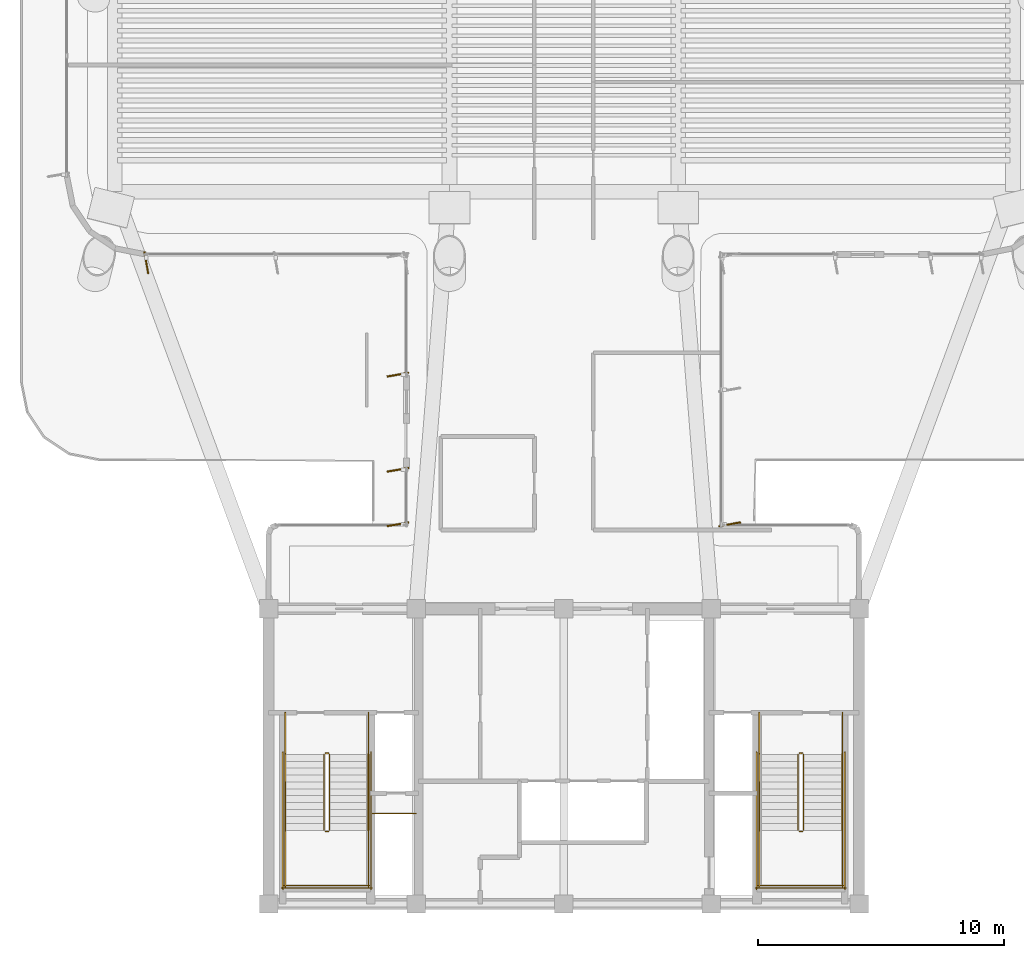
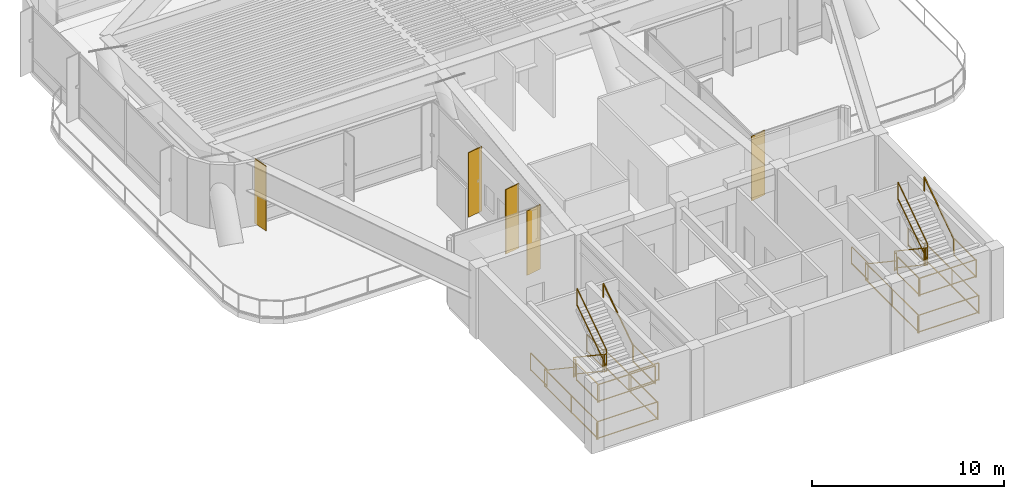
# One storey, part 12 of 13: 29 railings, 5 shading devices.
"""IFC4 building model written with IfcOpenShell, lengths in metres."""

from ifc_helpers import new_model, si_unit, direction, frame, origin, origin_2d, place, context, subcontext, project, spatial, rectangle, extrude, source, transform, mapped, material, layer, layer_set, material_profile, profile_set, type_object, element, save


model = new_model("IFC4")

# Units and contexts
model_context = context("Model", 3, precision=1e-05, world=origin(), true_north=direction((0.0, 1.0)))
body_context = subcontext(model_context, "Body", "Model", "MODEL_VIEW")
ifc_project = project(units=[si_unit("LENGTHUNIT", "METRE"), si_unit("AREAUNIT", "SQUARE_METRE"), si_unit("VOLUMEUNIT", "CUBIC_METRE"), si_unit("PLANEANGLEUNIT", "RADIAN"), si_unit("MASSUNIT", "GRAM", prefix="KILO")], contexts=[model_context])

# Site, building, storey
site_placement = place(None, origin())
site = spatial("IfcSite", under=ifc_project, at=site_placement, CompositionType="ELEMENT")
building_placement = place(site_placement, origin())
building = spatial("IfcBuilding", under=site, at=building_placement, Name="Brelvock Crest Care Tower", CompositionType="ELEMENT")
storey_placement = place(building_placement, frame((0.0, 0.0, 151.919921875)))
storey = spatial("IfcBuildingStorey", under=building, at=storey_placement, Name="L38", CompositionType="ELEMENT", Elevation=151.919921875)

# Railings
ifc_material_1 = material(Name="Steel Grade 350", Category="steel")
ifc_layer_1 = layer(ifc_material_1, 0.050048828125, Name="RL-STG1")
ifc_layer_set_1 = layer_set([ifc_layer_1], Name="Steel Grade 350")
railing_type_1 = type_object("IfcRailingType", Name="RL-STG1", PredefinedType="GUARDRAIL", material=ifc_layer_set_1)
railing_1_placement = place(storey_placement, frame((26.260009765625, 12.080078125, 0.1875)))
element("IfcRailing", 1, at=railing_1_placement, inside=storey, type_object=railing_type_1, Name="L38 ST-1 stair guard 1", PredefinedType="GUARDRAIL", context=body_context, shape_type="SweptSolid", body=[
    extrude(rectangle(XDim=0.048095703125, YDim=0.048095703125, at=origin_2d()), frame((0.0, -0.001708984375, 1.116943359375), z_axis=(0.0, -0.830913701846, 0.55640131208), x_axis=(1.0, 0.0, 0.0)), (0.0, 0.0, 1.0), 3.702880859375),
    extrude(rectangle(XDim=0.048095703125, YDim=0.048095703125, at=origin_2d()), frame((0.0, -0.001708984375, 0.05615234375), z_axis=(0.0, -0.830913701846, 0.55640131208), x_axis=(1.0, 0.0, 0.0)), (0.0, 0.0, 1.0), 3.702880859375),
    extrude(rectangle(XDim=0.0419921875, YDim=0.0419921875, at=origin_2d()), origin(), (0.0, 0.0, 1.0), 1.08984375),
    extrude(rectangle(XDim=0.0419921875, YDim=0.0419921875, at=origin_2d()), frame((0.0, -3.080078125, 2.0625)), (0.0, 0.0, 1.0), 1.08984375),
])
railing_2_placement = place(storey_placement, frame((26.31005859375, 8.949951171875, 2.25)))
element("IfcRailing", 2, at=railing_2_placement, inside=storey, type_object=railing_type_1, Name="L38 ST-1 stair guard 2", PredefinedType="GUARDRAIL", context=body_context, shape_type="SweptSolid", body=[
    extrude(rectangle(XDim=0.048095703125, YDim=0.048095703125, at=origin_2d()), frame((0.001953125, 0.0, 1.11572265625), z_axis=(1.0, 0.0, 0.0), x_axis=(0.0, 1.0, 0.0)), (0.0, 0.0, 1.0), 0.115966796875),
    extrude(rectangle(XDim=0.048095703125, YDim=0.048095703125, at=origin_2d()), frame((0.001953125, 0.0, 0.054931640625), z_axis=(1.0, 0.0, 0.0), x_axis=(0.0, 1.0, 0.0)), (0.0, 0.0, 1.0), 0.115966796875),
    extrude(rectangle(XDim=0.0419921875, YDim=0.0419921875, at=origin_2d()), origin(), (0.0, 0.0, 1.0), 1.08984375),
    extrude(rectangle(XDim=0.0419921875, YDim=0.0419921875, at=origin_2d()), frame((0.119873046875, 0.0, 0.0)), (0.0, 0.0, 1.0), 1.08984375),
])
for number, where, name in (
    (3, (24.679931640625, 9.0, 2.25), "L38 ST-1 stair guard 3"),
    (4, (28.06005859375, 9.0, 2.25), "L38 ST-1 stair guard 4"),
):
    element("IfcRailing", number, at=place(storey_placement, frame(where)), inside=storey, type_object=railing_type_1, Name=name, PredefinedType="GUARDRAIL", context=body_context, shape_type="SweptSolid", body=[
        extrude(rectangle(XDim=0.048095703125, YDim=0.048095703125, at=origin_2d()), frame((0.0, -0.001953125, 1.11572265625), z_axis=(0.0, -1.0, 0.0), x_axis=(1.0, 0.0, 0.0)), (0.0, 0.0, 1.0), 2.296142578125),
        extrude(rectangle(XDim=0.048095703125, YDim=0.048095703125, at=origin_2d()), frame((0.0, -0.001953125, 0.054931640625), z_axis=(0.0, -1.0, 0.0), x_axis=(1.0, 0.0, 0.0)), (0.0, 0.0, 1.0), 2.296142578125),
        extrude(rectangle(XDim=0.0419921875, YDim=0.0419921875, at=origin_2d()), origin(), (0.0, 0.0, 1.0), 1.08984375),
        extrude(rectangle(XDim=0.0419921875, YDim=0.0419921875, at=origin_2d()), frame((0.0, -2.300048828125, 0.0)), (0.0, 0.0, 1.0), 1.08984375),
    ])
railing_3_placement = place(storey_placement, frame((24.6298828125, 6.75, 2.25)))
element("IfcRailing", 5, at=railing_3_placement, inside=storey, type_object=railing_type_1, Name="L38 ST-1 stair guard 5", PredefinedType="GUARDRAIL", context=body_context, shape_type="SweptSolid", body=[
    extrude(rectangle(XDim=0.048095703125, YDim=0.048095703125, at=origin_2d()), frame((0.001953125, 0.0, 1.11572265625), z_axis=(1.0, 0.0, 0.0), x_axis=(0.0, 1.0, 0.0)), (0.0, 0.0, 1.0), 3.476318359375),
    extrude(rectangle(XDim=0.048095703125, YDim=0.048095703125, at=origin_2d()), frame((0.001953125, 0.0, 0.054931640625), z_axis=(1.0, 0.0, 0.0), x_axis=(0.0, 1.0, 0.0)), (0.0, 0.0, 1.0), 3.476318359375),
    extrude(rectangle(XDim=0.0419921875, YDim=0.0419921875, at=origin_2d()), origin(), (0.0, 0.0, 1.0), 1.08984375),
    extrude(rectangle(XDim=0.0419921875, YDim=0.0419921875, at=origin_2d()), frame((3.480224609375, 0.0, 0.0)), (0.0, 0.0, 1.0), 1.08984375),
])
railing_4_placement = place(storey_placement, frame((26.47998046875, 9.0, 2.4375)))
element("IfcRailing", 6, at=railing_4_placement, inside=storey, type_object=railing_type_1, Name="L38 ST-1 stair guard 6", PredefinedType="GUARDRAIL", context=body_context, shape_type="SweptSolid", body=[
    extrude(rectangle(XDim=0.048095703125, YDim=0.048095703125, at=origin_2d()), frame((0.0, 0.001708984375, 1.116943359375), z_axis=(0.0, 0.830913701846, 0.55640131208), x_axis=(-1.0, 0.0, 0.0)), (0.0, 0.0, 1.0), 3.702880859375),
    extrude(rectangle(XDim=0.048095703125, YDim=0.048095703125, at=origin_2d()), frame((0.0, 0.001708984375, 0.05615234375), z_axis=(0.0, 0.830913701846, 0.55640131208), x_axis=(-1.0, 0.0, 0.0)), (0.0, 0.0, 1.0), 3.702880859375),
    extrude(rectangle(XDim=0.0419921875, YDim=0.0419921875, at=origin_2d()), origin(), (0.0, 0.0, 1.0), 1.08984375),
    extrude(rectangle(XDim=0.0419921875, YDim=0.0419921875, at=origin_2d()), frame((0.0, 3.080078125, 2.0625)), (0.0, 0.0, 1.0), 1.08984375),
])
railing_5_placement = place(storey_placement, frame((26.31005859375, 12.1298828125, 0.0)))
element("IfcRailing", 7, at=railing_5_placement, inside=storey, type_object=railing_type_1, Name="L38 ST-1 stair guard 7", PredefinedType="GUARDRAIL", context=body_context, shape_type="SweptSolid", body=[
    extrude(rectangle(XDim=0.048095703125, YDim=0.048095703125, at=origin_2d()), frame((0.001953125, 0.0, 1.11572265625), z_axis=(1.0, 0.0, 0.0), x_axis=(0.0, 1.0, 0.0)), (0.0, 0.0, 1.0), 0.115966796875),
    extrude(rectangle(XDim=0.048095703125, YDim=0.048095703125, at=origin_2d()), frame((0.001953125, 0.0, 0.054931640625), z_axis=(1.0, 0.0, 0.0), x_axis=(0.0, 1.0, 0.0)), (0.0, 0.0, 1.0), 0.115966796875),
    extrude(rectangle(XDim=0.0419921875, YDim=0.0419921875, at=origin_2d()), origin(), (0.0, 0.0, 1.0), 1.08984375),
    extrude(rectangle(XDim=0.0419921875, YDim=0.0419921875, at=origin_2d()), frame((0.119873046875, 0.0, 0.0)), (0.0, 0.0, 1.0), 1.08984375),
])
for number, where, name in (
    (8, (24.679931640625, 13.780029296875, 0.0), "L38 ST-1 stair guard 8"),
    (9, (28.06005859375, 13.780029296875, 0.0), "L38 ST-1 stair guard 9"),
):
    element("IfcRailing", number, at=place(storey_placement, frame(where)), inside=storey, type_object=railing_type_1, Name=name, PredefinedType="GUARDRAIL", context=body_context, shape_type="SweptSolid", body=[
        extrude(rectangle(XDim=0.048095703125, YDim=0.048095703125, at=origin_2d()), frame((0.0, -0.001953125, 1.11572265625), z_axis=(0.0, -1.0, 0.0), x_axis=(1.0, 0.0, 0.0)), (0.0, 0.0, 1.0), 1.696044921875),
        extrude(rectangle(XDim=0.048095703125, YDim=0.048095703125, at=origin_2d()), frame((0.0, -0.001953125, 0.054931640625), z_axis=(0.0, -1.0, 0.0), x_axis=(1.0, 0.0, 0.0)), (0.0, 0.0, 1.0), 1.696044921875),
        extrude(rectangle(XDim=0.0419921875, YDim=0.0419921875, at=origin_2d()), origin(), (0.0, 0.0, 1.0), 1.08984375),
        extrude(rectangle(XDim=0.0419921875, YDim=0.0419921875, at=origin_2d()), frame((0.0, -1.699951171875, 0.0)), (0.0, 0.0, 1.0), 1.08984375),
    ])
for number, where, name in (
    (10, (24.580078125, 12.179931640625, 0.0), "L38 ST-1 stair guard 10"),
    (11, (28.159912109375, 12.179931640625, 0.0), "L38 ST-1 stair guard 11"),
):
    element("IfcRailing", number, at=place(storey_placement, frame(where)), inside=storey, type_object=railing_type_1, Name=name, PredefinedType="GUARDRAIL", context=body_context, shape_type="SweptSolid", body=[
        extrude(rectangle(XDim=0.048095703125, YDim=0.048095703125, at=origin_2d()), frame((0.0, -0.001953125, 1.11572265625), z_axis=(0.0, -1.0, 0.0), x_axis=(1.0, 0.0, 0.0)), (0.0, 0.0, 1.0), 5.575927734375),
        extrude(rectangle(XDim=0.048095703125, YDim=0.048095703125, at=origin_2d()), frame((0.0, -0.001953125, 0.054931640625), z_axis=(0.0, -1.0, 0.0), x_axis=(1.0, 0.0, 0.0)), (0.0, 0.0, 1.0), 5.575927734375),
        extrude(rectangle(XDim=0.0419921875, YDim=0.0419921875, at=origin_2d()), origin(), (0.0, 0.0, 1.0), 1.08984375),
        extrude(rectangle(XDim=0.0419921875, YDim=0.0419921875, at=origin_2d()), frame((0.0, -2.7900390625, 0.0)), (0.0, 0.0, 1.0), 1.08984375),
        extrude(rectangle(XDim=0.0419921875, YDim=0.0419921875, at=origin_2d()), frame((0.0, -5.579833984375, 0.0)), (0.0, 0.0, 1.0), 1.08984375),
    ])
railing_6_placement = place(storey_placement, frame((24.530029296875, 6.64990234375, 0.0)))
element("IfcRailing", 12, at=railing_6_placement, inside=storey, type_object=railing_type_1, Name="L38 ST-1 stair guard 12", PredefinedType="GUARDRAIL", context=body_context, shape_type="SweptSolid", body=[
    extrude(rectangle(XDim=0.048095703125, YDim=0.048095703125, at=origin_2d()), frame((0.001953125, 0.0, 1.11572265625), z_axis=(1.0, 0.0, 0.0), x_axis=(0.0, 1.0, 0.0)), (0.0, 0.0, 1.0), 3.676025390625),
    extrude(rectangle(XDim=0.048095703125, YDim=0.048095703125, at=origin_2d()), frame((0.001953125, 0.0, 0.054931640625), z_axis=(1.0, 0.0, 0.0), x_axis=(0.0, 1.0, 0.0)), (0.0, 0.0, 1.0), 3.676025390625),
    extrude(rectangle(XDim=0.0419921875, YDim=0.0419921875, at=origin_2d()), origin(), (0.0, 0.0, 1.0), 1.08984375),
    extrude(rectangle(XDim=0.0419921875, YDim=0.0419921875, at=origin_2d()), frame((3.679931640625, 0.0, 0.0)), (0.0, 0.0, 1.0), 1.08984375),
])
railing_7_placement = place(storey_placement, frame((45.52001953125, 12.080078125, 0.1875)))
element("IfcRailing", 13, at=railing_7_placement, inside=storey, type_object=railing_type_1, Name="L38 ST-2 stair guard 1", PredefinedType="GUARDRAIL", context=body_context, shape_type="SweptSolid", body=[
    extrude(rectangle(XDim=0.048095703125, YDim=0.048095703125, at=origin_2d()), frame((0.0, -0.001708984375, 1.116943359375), z_axis=(0.0, -0.830913701846, 0.55640131208), x_axis=(1.0, 0.0, 0.0)), (0.0, 0.0, 1.0), 3.702880859375),
    extrude(rectangle(XDim=0.048095703125, YDim=0.048095703125, at=origin_2d()), frame((0.0, -0.001708984375, 0.05615234375), z_axis=(0.0, -0.830913701846, 0.55640131208), x_axis=(1.0, 0.0, 0.0)), (0.0, 0.0, 1.0), 3.702880859375),
    extrude(rectangle(XDim=0.0419921875, YDim=0.0419921875, at=origin_2d()), origin(), (0.0, 0.0, 1.0), 1.08984375),
    extrude(rectangle(XDim=0.0419921875, YDim=0.0419921875, at=origin_2d()), frame((0.0, -3.080078125, 2.0625)), (0.0, 0.0, 1.0), 1.08984375),
])
railing_8_placement = place(storey_placement, frame((45.570068359375, 8.949951171875, 2.25)))
element("IfcRailing", 14, at=railing_8_placement, inside=storey, type_object=railing_type_1, Name="L38 ST-2 stair guard 2", PredefinedType="GUARDRAIL", context=body_context, shape_type="SweptSolid", body=[
    extrude(rectangle(XDim=0.048095703125, YDim=0.048095703125, at=origin_2d()), frame((0.001953125, 0.0, 1.11572265625), z_axis=(1.0, 0.0, 0.0), x_axis=(0.0, 1.0, 0.0)), (0.0, 0.0, 1.0), 0.115966796875),
    extrude(rectangle(XDim=0.048095703125, YDim=0.048095703125, at=origin_2d()), frame((0.001953125, 0.0, 0.054931640625), z_axis=(1.0, 0.0, 0.0), x_axis=(0.0, 1.0, 0.0)), (0.0, 0.0, 1.0), 0.115966796875),
    extrude(rectangle(XDim=0.0419921875, YDim=0.0419921875, at=origin_2d()), origin(), (0.0, 0.0, 1.0), 1.08984375),
    extrude(rectangle(XDim=0.0419921875, YDim=0.0419921875, at=origin_2d()), frame((0.119873046875, 0.0, 0.0)), (0.0, 0.0, 1.0), 1.08984375),
])
for number, where, name in (
    (15, (43.93994140625, 9.0, 2.25), "L38 ST-2 stair guard 3"),
    (16, (47.320068359375, 9.0, 2.25), "L38 ST-2 stair guard 4"),
):
    element("IfcRailing", number, at=place(storey_placement, frame(where)), inside=storey, type_object=railing_type_1, Name=name, PredefinedType="GUARDRAIL", context=body_context, shape_type="SweptSolid", body=[
        extrude(rectangle(XDim=0.048095703125, YDim=0.048095703125, at=origin_2d()), frame((0.0, -0.001953125, 1.11572265625), z_axis=(0.0, -1.0, 0.0), x_axis=(1.0, 0.0, 0.0)), (0.0, 0.0, 1.0), 2.296142578125),
        extrude(rectangle(XDim=0.048095703125, YDim=0.048095703125, at=origin_2d()), frame((0.0, -0.001953125, 0.054931640625), z_axis=(0.0, -1.0, 0.0), x_axis=(1.0, 0.0, 0.0)), (0.0, 0.0, 1.0), 2.296142578125),
        extrude(rectangle(XDim=0.0419921875, YDim=0.0419921875, at=origin_2d()), origin(), (0.0, 0.0, 1.0), 1.08984375),
        extrude(rectangle(XDim=0.0419921875, YDim=0.0419921875, at=origin_2d()), frame((0.0, -2.300048828125, 0.0)), (0.0, 0.0, 1.0), 1.08984375),
    ])
railing_9_placement = place(storey_placement, frame((43.889892578125, 6.75, 2.25)))
element("IfcRailing", 17, at=railing_9_placement, inside=storey, type_object=railing_type_1, Name="L38 ST-2 stair guard 5", PredefinedType="GUARDRAIL", context=body_context, shape_type="SweptSolid", body=[
    extrude(rectangle(XDim=0.048095703125, YDim=0.048095703125, at=origin_2d()), frame((0.001953125, 0.0, 1.11572265625), z_axis=(1.0, 0.0, 0.0), x_axis=(0.0, 1.0, 0.0)), (0.0, 0.0, 1.0), 3.476318359375),
    extrude(rectangle(XDim=0.048095703125, YDim=0.048095703125, at=origin_2d()), frame((0.001953125, 0.0, 0.054931640625), z_axis=(1.0, 0.0, 0.0), x_axis=(0.0, 1.0, 0.0)), (0.0, 0.0, 1.0), 3.476318359375),
    extrude(rectangle(XDim=0.0419921875, YDim=0.0419921875, at=origin_2d()), origin(), (0.0, 0.0, 1.0), 1.08984375),
    extrude(rectangle(XDim=0.0419921875, YDim=0.0419921875, at=origin_2d()), frame((3.480224609375, 0.0, 0.0)), (0.0, 0.0, 1.0), 1.08984375),
])
railing_10_placement = place(storey_placement, frame((45.739990234375, 9.0, 2.4375)))
element("IfcRailing", 18, at=railing_10_placement, inside=storey, type_object=railing_type_1, Name="L38 ST-2 stair guard 6", PredefinedType="GUARDRAIL", context=body_context, shape_type="SweptSolid", body=[
    extrude(rectangle(XDim=0.048095703125, YDim=0.048095703125, at=origin_2d()), frame((0.0, 0.001708984375, 1.116943359375), z_axis=(0.0, 0.830913701846, 0.55640131208), x_axis=(-1.0, 0.0, 0.0)), (0.0, 0.0, 1.0), 3.702880859375),
    extrude(rectangle(XDim=0.048095703125, YDim=0.048095703125, at=origin_2d()), frame((0.0, 0.001708984375, 0.05615234375), z_axis=(0.0, 0.830913701846, 0.55640131208), x_axis=(-1.0, 0.0, 0.0)), (0.0, 0.0, 1.0), 3.702880859375),
    extrude(rectangle(XDim=0.0419921875, YDim=0.0419921875, at=origin_2d()), origin(), (0.0, 0.0, 1.0), 1.08984375),
    extrude(rectangle(XDim=0.0419921875, YDim=0.0419921875, at=origin_2d()), frame((0.0, 3.080078125, 2.0625)), (0.0, 0.0, 1.0), 1.08984375),
])
railing_11_placement = place(storey_placement, frame((45.570068359375, 12.1298828125, 0.0)))
element("IfcRailing", 19, at=railing_11_placement, inside=storey, type_object=railing_type_1, Name="L38 ST-2 stair guard 7", PredefinedType="GUARDRAIL", context=body_context, shape_type="SweptSolid", body=[
    extrude(rectangle(XDim=0.048095703125, YDim=0.048095703125, at=origin_2d()), frame((0.001953125, 0.0, 1.11572265625), z_axis=(1.0, 0.0, 0.0), x_axis=(0.0, 1.0, 0.0)), (0.0, 0.0, 1.0), 0.115966796875),
    extrude(rectangle(XDim=0.048095703125, YDim=0.048095703125, at=origin_2d()), frame((0.001953125, 0.0, 0.054931640625), z_axis=(1.0, 0.0, 0.0), x_axis=(0.0, 1.0, 0.0)), (0.0, 0.0, 1.0), 0.115966796875),
    extrude(rectangle(XDim=0.0419921875, YDim=0.0419921875, at=origin_2d()), origin(), (0.0, 0.0, 1.0), 1.08984375),
    extrude(rectangle(XDim=0.0419921875, YDim=0.0419921875, at=origin_2d()), frame((0.119873046875, 0.0, 0.0)), (0.0, 0.0, 1.0), 1.08984375),
])
for number, where, name in (
    (20, (43.93994140625, 13.780029296875, 0.0), "L38 ST-2 stair guard 8"),
    (21, (47.320068359375, 13.780029296875, 0.0), "L38 ST-2 stair guard 9"),
):
    element("IfcRailing", number, at=place(storey_placement, frame(where)), inside=storey, type_object=railing_type_1, Name=name, PredefinedType="GUARDRAIL", context=body_context, shape_type="SweptSolid", body=[
        extrude(rectangle(XDim=0.048095703125, YDim=0.048095703125, at=origin_2d()), frame((0.0, -0.001953125, 1.11572265625), z_axis=(0.0, -1.0, 0.0), x_axis=(1.0, 0.0, 0.0)), (0.0, 0.0, 1.0), 1.696044921875),
        extrude(rectangle(XDim=0.048095703125, YDim=0.048095703125, at=origin_2d()), frame((0.0, -0.001953125, 0.054931640625), z_axis=(0.0, -1.0, 0.0), x_axis=(1.0, 0.0, 0.0)), (0.0, 0.0, 1.0), 1.696044921875),
        extrude(rectangle(XDim=0.0419921875, YDim=0.0419921875, at=origin_2d()), origin(), (0.0, 0.0, 1.0), 1.08984375),
        extrude(rectangle(XDim=0.0419921875, YDim=0.0419921875, at=origin_2d()), frame((0.0, -1.699951171875, 0.0)), (0.0, 0.0, 1.0), 1.08984375),
    ])
for number, where, name in (
    (22, (43.840087890625, 12.179931640625, 0.0), "L38 ST-2 stair guard 10"),
    (23, (47.419921875, 12.179931640625, 0.0), "L38 ST-2 stair guard 11"),
):
    element("IfcRailing", number, at=place(storey_placement, frame(where)), inside=storey, type_object=railing_type_1, Name=name, PredefinedType="GUARDRAIL", context=body_context, shape_type="SweptSolid", body=[
        extrude(rectangle(XDim=0.048095703125, YDim=0.048095703125, at=origin_2d()), frame((0.0, -0.001953125, 1.11572265625), z_axis=(0.0, -1.0, 0.0), x_axis=(1.0, 0.0, 0.0)), (0.0, 0.0, 1.0), 5.575927734375),
        extrude(rectangle(XDim=0.048095703125, YDim=0.048095703125, at=origin_2d()), frame((0.0, -0.001953125, 0.054931640625), z_axis=(0.0, -1.0, 0.0), x_axis=(1.0, 0.0, 0.0)), (0.0, 0.0, 1.0), 5.575927734375),
        extrude(rectangle(XDim=0.0419921875, YDim=0.0419921875, at=origin_2d()), origin(), (0.0, 0.0, 1.0), 1.08984375),
        extrude(rectangle(XDim=0.0419921875, YDim=0.0419921875, at=origin_2d()), frame((0.0, -2.7900390625, 0.0)), (0.0, 0.0, 1.0), 1.08984375),
        extrude(rectangle(XDim=0.0419921875, YDim=0.0419921875, at=origin_2d()), frame((0.0, -5.579833984375, 0.0)), (0.0, 0.0, 1.0), 1.08984375),
    ])
railing_12_placement = place(storey_placement, frame((43.7900390625, 6.64990234375, 0.0)))
element("IfcRailing", 24, at=railing_12_placement, inside=storey, type_object=railing_type_1, Name="L38 ST-2 stair guard 12", PredefinedType="GUARDRAIL", context=body_context, shape_type="SweptSolid", body=[
    extrude(rectangle(XDim=0.048095703125, YDim=0.048095703125, at=origin_2d()), frame((0.001953125, 0.0, 1.11572265625), z_axis=(1.0, 0.0, 0.0), x_axis=(0.0, 1.0, 0.0)), (0.0, 0.0, 1.0), 3.676025390625),
    extrude(rectangle(XDim=0.048095703125, YDim=0.048095703125, at=origin_2d()), frame((0.001953125, 0.0, 0.054931640625), z_axis=(1.0, 0.0, 0.0), x_axis=(0.0, 1.0, 0.0)), (0.0, 0.0, 1.0), 3.676025390625),
    extrude(rectangle(XDim=0.0419921875, YDim=0.0419921875, at=origin_2d()), origin(), (0.0, 0.0, 1.0), 1.08984375),
    extrude(rectangle(XDim=0.0419921875, YDim=0.0419921875, at=origin_2d()), frame((3.679931640625, 0.0, 0.0)), (0.0, 0.0, 1.0), 1.08984375),
])
railing_13_placement = place(storey_placement, frame((28.219970703125, 9.679931640625, 0.0)))
element("IfcRailing", 25, at=railing_13_placement, inside=storey, type_object=railing_type_1, Name="L38 Fire Riser Threshold Guard", PredefinedType="GUARDRAIL", context=body_context, shape_type="SweptSolid", body=[
    extrude(rectangle(XDim=0.048095703125, YDim=0.048095703125, at=origin_2d()), frame((0.001953125, 0.0, 1.11572265625), z_axis=(1.0, 0.0, 0.0), x_axis=(0.0, 1.0, 0.0)), (0.0, 0.0, 1.0), 1.776123046875),
    extrude(rectangle(XDim=0.048095703125, YDim=0.048095703125, at=origin_2d()), frame((0.001953125, 0.0, 0.054931640625), z_axis=(1.0, 0.0, 0.0), x_axis=(0.0, 1.0, 0.0)), (0.0, 0.0, 1.0), 1.776123046875),
    extrude(rectangle(XDim=0.0419921875, YDim=0.0419921875, at=origin_2d()), origin(), (0.0, 0.0, 1.0), 1.08984375),
    extrude(rectangle(XDim=0.0419921875, YDim=0.0419921875, at=origin_2d()), frame((1.780029296875, 0.0, 0.0)), (0.0, 0.0, 1.0), 1.08984375),
])
ifc_layer_2 = layer(ifc_material_1, 0.048095703125, Name="RL-STH1")
ifc_layer_set_2 = layer_set([ifc_layer_2], Name="Steel Grade 350")
railing_type_2 = type_object("IfcRailingType", Name="RL-STH1", PredefinedType="HANDRAIL", material=ifc_layer_set_2)
railing_14_placement = place(storey_placement, frame((24.679931640625, 12.080078125, 0.1875)))
element("IfcRailing", 26, at=railing_14_placement, inside=storey, type_object=railing_type_2, Name="L38 ST-1 stair handrail 1", PredefinedType="HANDRAIL", context=body_context, shape_type="SweptSolid", body=[
    extrude(rectangle(XDim=0.048095703125, YDim=0.048095703125, at=origin_2d()), frame((0.0, -0.001708984375, 0.876953125), z_axis=(0.0, -0.830913701846, 0.55640131208), x_axis=(1.0, 0.0, 0.0)), (0.0, 0.0, 1.0), 3.702880859375),
    extrude(rectangle(XDim=0.0419921875, YDim=0.0419921875, at=origin_2d()), origin(), (0.0, 0.0, 1.0), 0.849853515625),
    extrude(rectangle(XDim=0.0419921875, YDim=0.0419921875, at=origin_2d()), frame((0.0, -3.080078125, 2.0625)), (0.0, 0.0, 1.0), 0.849853515625),
])
railing_15_placement = place(storey_placement, frame((28.06005859375, 9.0, 2.4375)))
element("IfcRailing", 27, at=railing_15_placement, inside=storey, type_object=railing_type_2, Name="L38 ST-1 stair handrail 2", PredefinedType="HANDRAIL", context=body_context, shape_type="SweptSolid", body=[
    extrude(rectangle(XDim=0.048095703125, YDim=0.048095703125, at=origin_2d()), frame((0.0, 0.001708984375, 0.876953125), z_axis=(0.0, 0.830913701846, 0.55640131208), x_axis=(-1.0, 0.0, 0.0)), (0.0, 0.0, 1.0), 3.702880859375),
    extrude(rectangle(XDim=0.0419921875, YDim=0.0419921875, at=origin_2d()), origin(), (0.0, 0.0, 1.0), 0.849853515625),
    extrude(rectangle(XDim=0.0419921875, YDim=0.0419921875, at=origin_2d()), frame((0.0, 3.080078125, 2.0625)), (0.0, 0.0, 1.0), 0.849853515625),
])
railing_16_placement = place(storey_placement, frame((43.93994140625, 12.080078125, 0.1875)))
element("IfcRailing", 28, at=railing_16_placement, inside=storey, type_object=railing_type_2, Name="L38 ST-2 stair handrail 1", PredefinedType="HANDRAIL", context=body_context, shape_type="SweptSolid", body=[
    extrude(rectangle(XDim=0.048095703125, YDim=0.048095703125, at=origin_2d()), frame((0.0, -0.001708984375, 0.876953125), z_axis=(0.0, -0.830913701846, 0.55640131208), x_axis=(1.0, 0.0, 0.0)), (0.0, 0.0, 1.0), 3.702880859375),
    extrude(rectangle(XDim=0.0419921875, YDim=0.0419921875, at=origin_2d()), origin(), (0.0, 0.0, 1.0), 0.849853515625),
    extrude(rectangle(XDim=0.0419921875, YDim=0.0419921875, at=origin_2d()), frame((0.0, -3.080078125, 2.0625)), (0.0, 0.0, 1.0), 0.849853515625),
])
railing_17_placement = place(storey_placement, frame((47.320068359375, 9.0, 2.4375)))
element("IfcRailing", 29, at=railing_17_placement, inside=storey, type_object=railing_type_2, Name="L38 ST-2 stair handrail 2", PredefinedType="HANDRAIL", context=body_context, shape_type="SweptSolid", body=[
    extrude(rectangle(XDim=0.048095703125, YDim=0.048095703125, at=origin_2d()), frame((0.0, 0.001708984375, 0.876953125), z_axis=(0.0, 0.830913701846, 0.55640131208), x_axis=(-1.0, 0.0, 0.0)), (0.0, 0.0, 1.0), 3.702880859375),
    extrude(rectangle(XDim=0.0419921875, YDim=0.0419921875, at=origin_2d()), origin(), (0.0, 0.0, 1.0), 0.849853515625),
    extrude(rectangle(XDim=0.0419921875, YDim=0.0419921875, at=origin_2d()), frame((0.0, 3.080078125, 2.0625)), (0.0, 0.0, 1.0), 0.849853515625),
])

# Shading devices
ifc_material_2 = material(Name="Aluminium 6063-T6", Category="aluminium")
ifc_material_profile = material_profile(ifc_material_2, rectangle(XDim=0.054931640625, YDim=0.89990234375, at=origin_2d()), Name="FIN55x900")
ifc_profile_set = profile_set([ifc_material_profile], Name="Aluminium 6063-T6")
shading_device_type = type_object("IfcShadingDeviceType", Name="SHD-FIN1", PredefinedType="USERDEFINED", material=ifc_profile_set)
shared_shape = source(origin(), body_context, "Body", "SweptSolid", [
    extrude(rectangle(XDim=0.054931640625, YDim=0.89990234375, at=origin_2d()), origin(), (0.0, 0.0, 1.0), 4.092041015625),
])
for number, where, z_axis, x_axis, name in (
    (30, (29.260009765625, 21.4326171875, 0.0), (0.0, 0.0, 1.0), (-0.173648177667, 0.984807753012, 0.0), "L38 Vertical Sunshade Fin E11A-01"),
    (31, (29.260009765625, 23.6474609375, 0.0), (0.0, 0.0, 1.0), (-0.173648177667, 0.984807753012, 0.0), "L38 Vertical Sunshade Fin E11A-02"),
    (32, (29.260009765625, 27.512451171875, 0.0), (0.0, 0.0, 1.0), (-0.173648177667, 0.984807753012, 0.0), "L38 Vertical Sunshade Fin E11B-01"),
    (33, (19.032470703125, 32.06005859375, 0.0), (0.0, 0.0, 1.0), (-0.984807753012, -0.173648177667, 0.0), "L38 Vertical Sunshade Fin E12-03"),
    (34, (42.739990234375, 21.4326171875, 0.0), (0.0, 0.0, 1.0), (0.173648177667, -0.984807753012, 0.0), "L38 Vertical Sunshade Fin E45-03"),
):
    element("IfcShadingDevice", number, at=place(storey_placement, frame(where, z_axis=z_axis, x_axis=x_axis)), inside=storey, type_object=shading_device_type, Name=name, ObjectType="FIN", PredefinedType="USERDEFINED", context=body_context, shape_type="MappedRepresentation", body=[
        mapped(shared_shape, transform((0.0, 0.0, 0.0), x_axis=(1.0, 0.0, 0.0), y_axis=(0.0, 1.0, 0.0), z_axis=(0.0, 0.0, 1.0), scale=1.0)),
    ])

save(model, "model.ifc")
